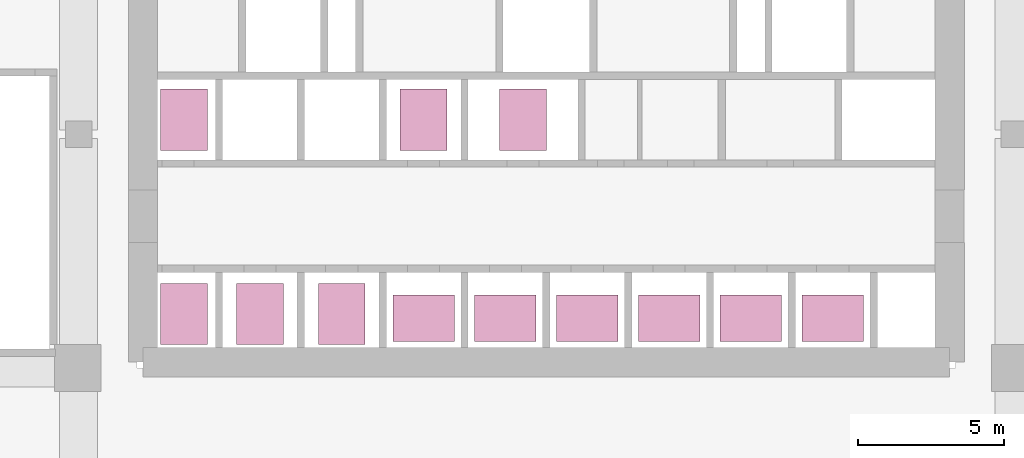
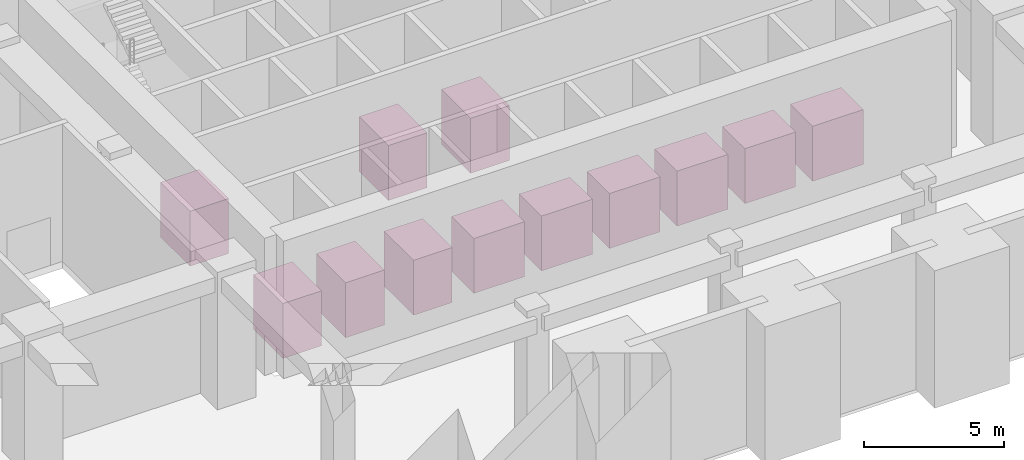
# One storey, part 28 of 28: 12 transport elements.
"""IFC4 building model written with IfcOpenShell, lengths in metres."""

from ifc_helpers import new_model, si_unit, direction, frame, origin, origin_2d, place, context, subcontext, project, spatial, rectangle, extrude, material, type_object, element, save


model = new_model("IFC4")

# Units and contexts
model_context = context("Model", 3, precision=1e-05, world=origin(), true_north=direction((0.0, 1.0)))
body_context = subcontext(model_context, "Body", "Model", "MODEL_VIEW")
ifc_project = project(units=[si_unit("LENGTHUNIT", "METRE"), si_unit("AREAUNIT", "SQUARE_METRE"), si_unit("VOLUMEUNIT", "CUBIC_METRE"), si_unit("PLANEANGLEUNIT", "RADIAN"), si_unit("MASSUNIT", "GRAM", prefix="KILO")], contexts=[model_context])

# Site, building, storey
site_placement = place(None, origin())
site = spatial("IfcSite", under=ifc_project, at=site_placement, CompositionType="ELEMENT")
building_placement = place(site_placement, origin())
building = spatial("IfcBuilding", under=site, at=building_placement, Name="Isbrekke Arena Tower", CompositionType="ELEMENT")
storey_placement = place(building_placement, origin())
storey = spatial("IfcBuildingStorey", under=building, at=storey_placement, Name="L00", CompositionType="ELEMENT", Elevation=0.0)

# Transport elements
ifc_material_1 = material(Name="Steel lift car", Category="steel")
transport_element_type_1 = type_object("IfcTransportElementType", Name="LA LIFT CAR 1600 x 2100 1600 KG", PredefinedType="ELEVATOR", material=ifc_material_1)
for number, where, z_axis, x_axis, name in (
    (1, (-12.39990234375, 7.85009765625, 0.0), (0.0, 0.0, 1.0), (1.0, 0.0, 0.0), "LA1 low-rise passenger lifts"),
    (2, (-9.800048828125, 7.85009765625, 0.0), (0.0, 0.0, 1.0), (1.0, 0.0, 0.0), "LA2 low-rise passenger lifts"),
    (3, (-7.0, 7.85009765625, 0.0), (0.0, 0.0, 1.0), (1.0, 0.0, 0.0), "LA3 low-rise passenger lifts"),
    (4, (-12.39990234375, 14.5, 0.0), (0.0, 0.0, 1.0), (1.0, 0.0, 0.0), "LA4 low-rise passenger lifts"),
    (5, (-4.199951171875, 14.5, 0.0), (0.0, 0.0, 1.0), (1.0, 0.0, 0.0), "LA5 low-rise passenger lifts"),
    (6, (-0.800048828125, 14.5, 0.0), (0.0, 0.0, 1.0), (1.0, 0.0, 0.0), "LA6 low-rise passenger lifts"),
):
    element("IfcTransportElement", number, at=place(storey_placement, frame(where, z_axis=z_axis, x_axis=x_axis)), inside=storey, type_object=transport_element_type_1, Name=name, PredefinedType="ELEVATOR", context=body_context, shape_type="SweptSolid", body=[
        extrude(rectangle(XDim=1.60009765625, YDim=2.10009765625, at=origin_2d()), origin(), (0.0, 0.0, 1.0), 2.39990234375),
    ])
ifc_material_2 = material(Name="Steel lift car", Category="steel")
transport_element_type_2 = type_object("IfcTransportElementType", Name="LS LIFT CAR 2100 x 1600 2000 KG", PredefinedType="ELEVATOR", material=ifc_material_2)
for number, where, z_axis, x_axis, name in (
    (7, (-4.199951171875, 7.699951171875, 0.0), (0.0, 0.0, 1.0), (1.0, 0.0, 0.0), "LS1 shuttle lifts to the l21 sky lobby and l37"),
    (8, (-1.39990234375, 7.699951171875, 0.0), (0.0, 0.0, 1.0), (1.0, 0.0, 0.0), "LS2 shuttle lifts to the l21 sky lobby and l37"),
    (9, (1.39990234375, 7.699951171875, 0.0), (0.0, 0.0, 1.0), (1.0, 0.0, 0.0), "LS3 shuttle lifts to the l21 sky lobby and l37"),
):
    element("IfcTransportElement", number, at=place(storey_placement, frame(where, z_axis=z_axis, x_axis=x_axis)), inside=storey, type_object=transport_element_type_2, Name=name, PredefinedType="ELEVATOR", context=body_context, shape_type="SweptSolid", body=[
        extrude(rectangle(XDim=2.10009765625, YDim=1.60009765625, at=origin_2d()), origin(), (0.0, 0.0, 1.0), 2.39990234375),
    ])
ifc_material_3 = material(Name="Steel lift car", Category="steel")
transport_element_type_3 = type_object("IfcTransportElementType", Name="LT LIFT CAR 2100 x 1600 2000 KG", PredefinedType="ELEVATOR", material=ifc_material_3)
for number, where, z_axis, x_axis, name in (
    (10, (4.199951171875, 7.699951171875, 0.0), (0.0, 0.0, 1.0), (1.0, 0.0, 0.0), "LT1 shuttle lifts to the l39 sky lobby"),
    (11, (7.0, 7.699951171875, 0.0), (0.0, 0.0, 1.0), (1.0, 0.0, 0.0), "LT2 shuttle lifts to the l39 sky lobby"),
    (12, (9.800048828125, 7.699951171875, 0.0), (0.0, 0.0, 1.0), (1.0, 0.0, 0.0), "LT3 shuttle lifts to the l39 sky lobby"),
):
    element("IfcTransportElement", number, at=place(storey_placement, frame(where, z_axis=z_axis, x_axis=x_axis)), inside=storey, type_object=transport_element_type_3, Name=name, PredefinedType="ELEVATOR", context=body_context, shape_type="SweptSolid", body=[
        extrude(rectangle(XDim=2.10009765625, YDim=1.60009765625, at=origin_2d()), origin(), (0.0, 0.0, 1.0), 2.39990234375),
    ])

save(model, "model.ifc")
